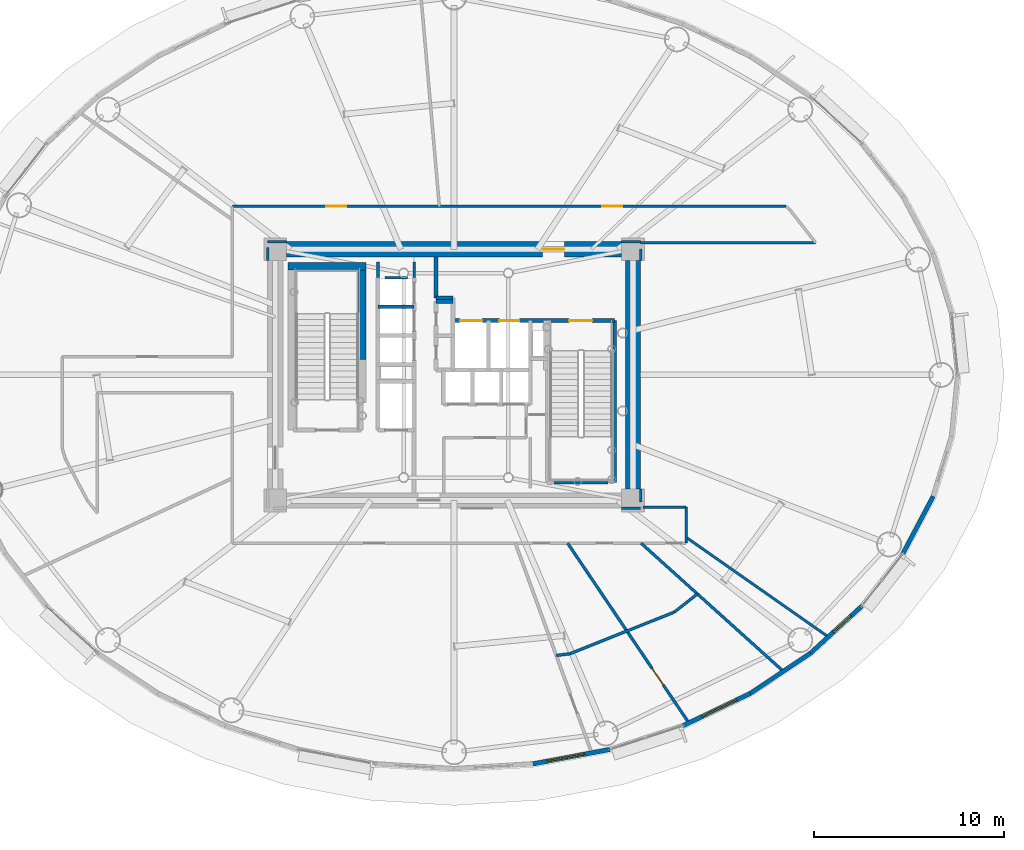
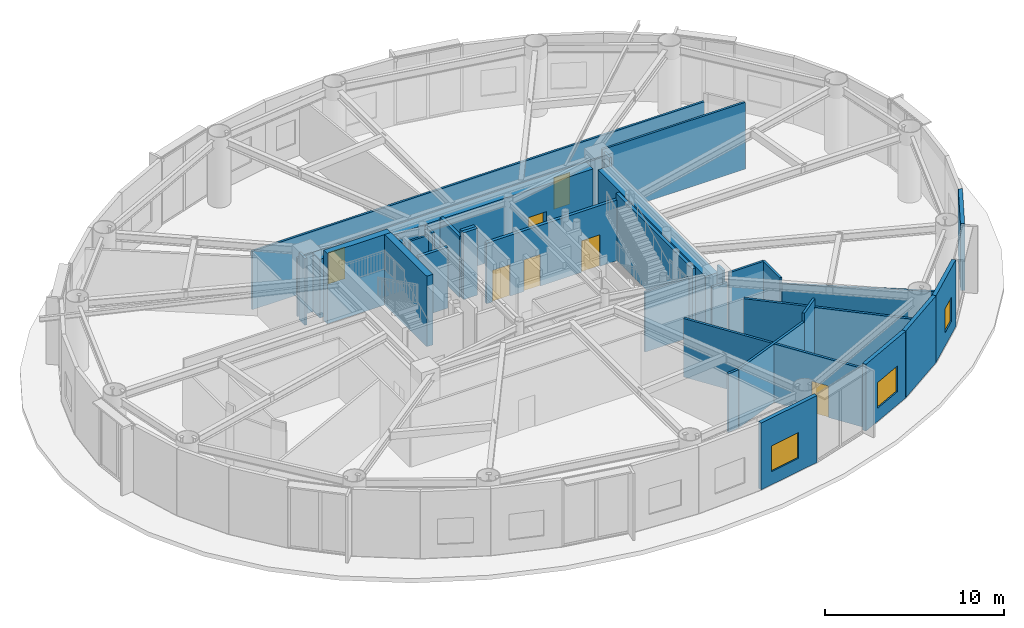
# One storey, part 29 of 38: 35 walls, 7 doors, 3 windows, 10 openings.
"""IFC4 building model written with IfcOpenShell, lengths in metres."""

from ifc_helpers import new_model, si_unit, direction, frame, frame_2d, origin, origin_2d, place, context, subcontext, project, spatial, rectangle, extrude, source, transform, mapped, material, layer, layer_set, type_object, element, fill, save


model = new_model("IFC4")

# Units and contexts
model_context = context("Model", 3, precision=1e-05, world=origin(), true_north=direction((0.0, 1.0)))
body_context = subcontext(model_context, "Body", "Model", "MODEL_VIEW")
ifc_project = project(units=[si_unit("LENGTHUNIT", "METRE"), si_unit("AREAUNIT", "SQUARE_METRE"), si_unit("VOLUMEUNIT", "CUBIC_METRE"), si_unit("PLANEANGLEUNIT", "RADIAN"), si_unit("MASSUNIT", "GRAM", prefix="KILO")], contexts=[model_context])

# Site, building, storey
site_placement = place(None, origin())
site = spatial("IfcSite", under=ifc_project, at=site_placement, CompositionType="ELEMENT")
building_placement = place(site_placement, origin())
building = spatial("IfcBuilding", under=site, at=building_placement, Name="Linh Dai School and Residence Tower", CompositionType="ELEMENT")
storey_placement = place(building_placement, frame((0.0, 0.0, 151.35009765625)))
storey = spatial("IfcBuildingStorey", under=building, at=storey_placement, Name="L36", CompositionType="ELEMENT", Elevation=151.35009765625)

# Wall, opening, window
ifc_material_1 = material(Name="Precast Concrete B45 (C35/45)", Category="concrete")
ifc_layer_1 = layer(ifc_material_1, 0.239990234375)
ifc_layer_set_1 = layer_set([ifc_layer_1], Name="Precast Concrete B45 (C35/45)")
wall_type_1 = type_object("IfcWallType", Name="EW-TC-240", PredefinedType="SOLIDWALL", material=ifc_layer_set_1)
wall_1_placement = place(storey_placement, frame((44.18896484375, 7.310546875, 0.0), z_axis=(0.0, 0.0, 1.0), x_axis=(-0.982788108205, -0.184736391573, 0.0)))
wall_1 = element("IfcWall", 1, at=wall_1_placement, inside=storey, type_object=wall_type_1, Name="L36 Terracotta Exterior Wall 32", PredefinedType="SOLIDWALL", context=body_context, shape_type="SweptSolid", body=[
    extrude(rectangle(XDim=4.114013671875, YDim=0.239990234375, at=frame_2d((2.05712890625, 0.0))), origin(), (0.0, 0.0, 1.0), 4.5498046875),
])
opening_1_placement = place(wall_1_placement, frame((1.3603515625, 0.0, 0.89990234375)))
opening_1 = element("IfcOpeningElement", 2, at=opening_1_placement, cuts=wall_1, Name="Opening W1", PredefinedType="OPENING", context=body_context, shape_type="SweptSolid", body=[
    extrude(rectangle(XDim=2.0, YDim=1.75, at=origin_2d()), frame((1.0, 0.1298828125, 0.875), z_axis=(0.0, -1.0, 0.0), x_axis=(1.0, 0.0, 0.0)), (0.0, 0.0, 1.0), 0.260009765625),
])
ifc_material_2 = material(Name="Double Low-E Insulated Glazing", Category="glass")
window_type_1 = type_object("IfcWindowType", Name="WN-RES-2000x1750", PartitioningType="DOUBLE_PANEL_VERTICAL", PredefinedType="WINDOW", material=ifc_material_2)
shared_shape_1 = source(origin(), body_context, "Body", "SweptSolid", [
    extrude(rectangle(XDim=2.0, YDim=1.75, at=origin_2d()), frame((1.0, 0.030029296875, 0.875), z_axis=(0.0, -1.0, 0.0), x_axis=(1.0, 0.0, 0.0)), (0.0, 0.0, 1.0), 0.06005859375),
])
window_1_placement = place(opening_1_placement, origin())
window_1 = element("IfcWindow", 3, at=window_1_placement, inside=storey, type_object=window_type_1, Name="L36 Exterior Window 32.1", OverallHeight=1.75, OverallWidth=2.0, PartitioningType="DOUBLE_PANEL_VERTICAL", PredefinedType="WINDOW", context=body_context, shape_type="MappedRepresentation", body=[
    mapped(shared_shape_1, transform((0.0, 0.0, 0.0), x_axis=(1.0, 0.0, 0.0), y_axis=(0.0, 1.0, 0.0), z_axis=(0.0, 0.0, 1.0), scale=1.0)),
])
fill(opening_1, window_1)

wall_2_placement = place(storey_placement, frame((51.5732421875, 10.2568359375, 0.0), z_axis=(0.0, 0.0, 1.0), x_axis=(-0.901564733809, -0.432644231155, 0.0)))
wall_2 = element("IfcWall", 4, at=wall_2_placement, inside=storey, type_object=wall_type_1, Name="L36 Terracotta Exterior Wall 34", PredefinedType="SOLIDWALL", context=body_context, shape_type="SweptSolid", body=[
    extrude(rectangle(XDim=3.930419921875, YDim=0.239990234375, at=frame_2d((1.96533203125, 0.0))), origin(), (0.0, 0.0, 1.0), 4.5498046875),
])
opening_2_placement = place(wall_2_placement, frame((0.806640625, 0.0, 0.89990234375)))
opening_2 = element("IfcOpeningElement", 5, at=opening_2_placement, cuts=wall_2, Name="Opening W1", PredefinedType="OPENING", context=body_context, shape_type="SweptSolid", body=[
    extrude(rectangle(XDim=2.0, YDim=1.75, at=origin_2d()), frame((1.0, 0.1298828125, 0.875), z_axis=(0.0, -1.0, 0.0), x_axis=(1.0, 0.0, 0.0)), (0.0, 0.0, 1.0), 0.260009765625),
])
window_2_placement = place(opening_2_placement, origin())
window_2 = element("IfcWindow", 6, at=window_2_placement, inside=storey, type_object=window_type_1, Name="L36 Exterior Window 34.1", OverallHeight=1.75, OverallWidth=2.0, PartitioningType="DOUBLE_PANEL_VERTICAL", PredefinedType="WINDOW", context=body_context, shape_type="MappedRepresentation", body=[
    mapped(shared_shape_1, transform((0.0, 0.0, 0.0), x_axis=(1.0, 0.0, 0.0), y_axis=(0.0, 1.0, 0.0), z_axis=(0.0, 0.0, 1.0), scale=1.0)),
])
fill(opening_2, window_2)

# Wall
wall_3_placement = place(storey_placement, frame((54.73193359375, 12.369384765625, 0.0), z_axis=(0.0, 0.0, 1.0), x_axis=(-0.831228998277, -0.555930168657, 0.0)))
element("IfcWall", 7, at=wall_3_placement, inside=storey, type_object=wall_type_1, Name="L36 Terracotta Exterior Wall 35", PredefinedType="SOLIDWALL", context=body_context, shape_type="SweptSolid", body=[
    extrude(rectangle(XDim=3.800048828125, YDim=0.239990234375, at=frame_2d((1.89990234375, 0.0))), origin(), (0.0, 0.0, 1.0), 4.5498046875),
])

# Wall, opening, window
wall_4_placement = place(storey_placement, frame((57.42822265625, 14.841552734375, 0.0), z_axis=(0.0, 0.0, 1.0), x_axis=(-0.737076565834, -0.675809245349, 0.0)))
wall_4 = element("IfcWall", 8, at=wall_4_placement, inside=storey, type_object=wall_type_1, Name="L36 Terracotta Exterior Wall 36", PredefinedType="SOLIDWALL", context=body_context, shape_type="SweptSolid", body=[
    extrude(rectangle(XDim=3.658203125, YDim=0.239990234375, at=frame_2d((1.8291015625, 0.0))), origin(), (0.0, 0.0, 1.0), 4.5498046875),
])
opening_3_placement = place(wall_4_placement, frame((0.777587890625, 0.0, 0.89990234375)))
opening_3 = element("IfcOpeningElement", 9, at=opening_3_placement, cuts=wall_4, Name="Opening W3", PredefinedType="OPENING", context=body_context, shape_type="SweptSolid", body=[
    extrude(rectangle(XDim=1.25, YDim=1.64990234375, at=origin_2d()), frame((0.625, 0.1298828125, 0.824951171875), z_axis=(0.0, -1.0, 0.0), x_axis=(1.0, 0.0, 0.0)), (0.0, 0.0, 1.0), 0.260009765625),
])
window_type_2 = type_object("IfcWindowType", Name="WN-RES-1250x1650", PartitioningType="SINGLE_PANEL", PredefinedType="WINDOW", material=ifc_material_2)
shared_shape_2 = source(origin(), body_context, "Body", "SweptSolid", [
    extrude(rectangle(XDim=1.25, YDim=1.64990234375, at=origin_2d()), frame((0.625, 0.030029296875, 0.824951171875), z_axis=(0.0, -1.0, 0.0), x_axis=(1.0, 0.0, 0.0)), (0.0, 0.0, 1.0), 0.06005859375),
])
window_3_placement = place(opening_3_placement, origin())
window_3 = element("IfcWindow", 10, at=window_3_placement, inside=storey, type_object=window_type_2, Name="L36 Exterior Window 36.1", OverallHeight=1.64990234375, OverallWidth=1.25, PartitioningType="SINGLE_PANEL", PredefinedType="WINDOW", context=body_context, shape_type="MappedRepresentation", body=[
    mapped(shared_shape_2, transform((0.0, 0.0, 0.0), x_axis=(1.0, 0.0, 0.0), y_axis=(0.0, 1.0, 0.0), z_axis=(0.0, 0.0, 1.0), scale=1.0)),
])
fill(opening_3, window_3)

# Wall
wall_5_placement = place(storey_placement, frame((61.1826171875, 20.611083984375, 0.0), z_axis=(0.0, 0.0, 1.0), x_axis=(-0.467586874938, -0.88394712194, 0.0)))
element("IfcWall", 11, at=wall_5_placement, inside=storey, type_object=wall_type_1, Name="L36 Terracotta Exterior Wall 38", PredefinedType="SOLIDWALL", context=body_context, shape_type="SweptSolid", body=[
    extrude(rectangle(XDim=3.393310546875, YDim=0.239990234375, at=frame_2d((1.69677734375, 0.0))), origin(), (0.0, 0.0, 1.0), 4.5498046875),
])

# Wall, openings, doors
ifc_material_3 = material(Name="Autoclaved Aerated Concrete Blockwork", Category="masonry")
ifc_layer_2 = layer(ifc_material_3, 0.135009765625)
ifc_layer_set_2 = layer_set([ifc_layer_2], Name="Autoclaved Aerated Concrete Blockwork")
wall_type_2 = type_object("IfcWallType", Name="IW-CORR-135-EI90", PredefinedType="PARTITIONING", material=ifc_layer_set_2)
wall_6_placement = place(storey_placement, frame((24.35009765625, 35.85009765625, 0.0), z_axis=(0.0, 0.0, 1.0), x_axis=(1.0, 0.0, 0.0)))
wall_6 = element("IfcWall", 12, at=wall_6_placement, inside=storey, type_object=wall_type_2, Name="L36 Interior Partition Wall 013", PredefinedType="PARTITIONING", context=body_context, shape_type="SweptSolid", body=[
    extrude(rectangle(XDim=29.103759765625, YDim=0.135009765625, at=frame_2d((14.5517578125, 0.0))), origin(), (0.0, 0.0, 1.0), 3.98486328125),
])
opening_4_placement = place(wall_6_placement, frame((19.44482421875, 0.0, 0.0)))
opening_4 = element("IfcOpeningElement", 13, at=opening_4_placement, cuts=wall_6, Name="Opening D04", PredefinedType="OPENING", context=body_context, shape_type="SweptSolid", body=[
    extrude(rectangle(XDim=1.050048828125, YDim=2.14990234375, at=origin_2d()), frame((0.52490234375, 0.07763671875, 1.074951171875), z_axis=(0.0, -1.0, 0.0), x_axis=(1.0, 0.0, 0.0)), (0.0, 0.0, 1.0), 0.155029296875),
])
opening_5_placement = place(wall_6_placement, frame((4.932861328125, 0.0, 0.0)))
opening_5 = element("IfcOpeningElement", 14, at=opening_5_placement, cuts=wall_6, Name="Opening D04", PredefinedType="OPENING", context=body_context, shape_type="SweptSolid", body=[
    extrude(rectangle(XDim=1.050048828125, YDim=2.14990234375, at=origin_2d()), frame((0.52490234375, 0.07763671875, 1.074951171875), z_axis=(0.0, -1.0, 0.0), x_axis=(1.0, 0.0, 0.0)), (0.0, 0.0, 1.0), 0.155029296875),
])
ifc_material_4 = material(Name="Acoustic Vision-Panel Timber Classroom Door", Category="wood")
door_type_1 = type_object("IfcDoorType", Name="DR-SCH-1050x2150-FD60S", OperationType="NOTDEFINED", PredefinedType="DOOR", material=ifc_material_4)
shared_shape_3 = source(origin(), body_context, "Body", "SweptSolid", [
    extrude(rectangle(XDim=1.050048828125, YDim=2.14990234375, at=origin_2d()), frame((0.52490234375, 0.02490234375, 1.074951171875), z_axis=(0.0, -1.0, 0.0), x_axis=(1.0, 0.0, 0.0)), (0.0, 0.0, 1.0), 0.050048828125),
])
door_1_placement = place(opening_4_placement, origin())
door_1 = element("IfcDoor", 15, at=door_1_placement, inside=storey, type_object=door_type_1, Name="L36 Mid-Zone Transfer Sky Lobby Concourse Door", OperationType="SINGLE_SWING_LEFT", OverallHeight=2.14990234375, OverallWidth=1.050048828125, PredefinedType="DOOR", context=body_context, shape_type="MappedRepresentation", body=[
    mapped(shared_shape_3, transform((0.0, 0.0, 0.0), x_axis=(1.0, 0.0, 0.0), y_axis=(0.0, 1.0, 0.0), z_axis=(0.0, 0.0, 1.0), scale=1.0)),
])
fill(opening_4, door_1)
door_2_placement = place(opening_5_placement, origin())
door_2 = element("IfcDoor", 16, at=door_2_placement, inside=storey, type_object=door_type_1, Name="L36 Mid-Zone Sky Concierge and Management Office Door", OperationType="SINGLE_SWING_RIGHT", OverallHeight=2.14990234375, OverallWidth=1.050048828125, PredefinedType="DOOR", context=body_context, shape_type="MappedRepresentation", body=[
    mapped(shared_shape_3, transform((0.0, 0.0, 0.0), x_axis=(1.0, 0.0, 0.0), y_axis=(0.0, 1.0, 0.0), z_axis=(0.0, 0.0, 1.0), scale=1.0)),
])
fill(opening_5, door_2)

# Walls
wall_7_placement = place(storey_placement, frame((45.800048828125, 33.949951171875, 0.0), z_axis=(0.0, 0.0, 1.0), x_axis=(1.0, 0.0, 0.0)))
element("IfcWall", 17, at=wall_7_placement, inside=storey, type_object=wall_type_2, Name="L36 Interior Partition Wall 050", PredefinedType="PARTITIONING", context=body_context, shape_type="SweptSolid", body=[
    extrude(rectangle(XDim=9.197021484375, YDim=0.135009765625, at=frame_2d((4.5986328125, 0.0))), origin(), (0.0, 0.0, 1.0), 4.5498046875),
])
wall_8_placement = place(storey_placement, frame((45.925537109375, 20.050048828125, 0.0), z_axis=(0.0, 0.0, 1.0), x_axis=(1.0, 0.0, 0.0)))
element("IfcWall", 18, at=wall_8_placement, inside=storey, type_object=wall_type_2, Name="L36 Interior Partition Wall 052", PredefinedType="PARTITIONING", context=body_context, shape_type="SweptSolid", body=[
    extrude(rectangle(XDim=2.2744140625, YDim=0.135009765625, at=frame_2d((1.13720703125, 0.0))), origin(), (0.0, 0.0, 1.0), 4.5498046875),
])
wall_9_placement = place(storey_placement, frame((48.199951171875, 18.14990234375, 0.0), z_axis=(0.0, 0.0, 1.0), x_axis=(0.0, 1.0, 0.0)))
element("IfcWall", 19, at=wall_9_placement, inside=storey, type_object=wall_type_2, Name="L36 Interior Partition Wall 054", PredefinedType="PARTITIONING", context=body_context, shape_type="SweptSolid", body=[
    extrude(rectangle(XDim=1.900146484375, YDim=0.135009765625, at=frame_2d((0.9501953125, 0.0))), origin(), (0.0, 0.0, 1.0), 4.5498046875),
])
wall_10_placement = place(storey_placement, frame((48.199951171875, 18.45751953125, 0.0), z_axis=(0.0, 0.0, 1.0), x_axis=(0.819151444864, -0.573577292418, 0.0)))
element("IfcWall", 20, at=wall_10_placement, inside=storey, type_object=wall_type_2, Name="L36 Interior Partition Wall 055", PredefinedType="PARTITIONING", context=body_context, shape_type="SweptSolid", body=[
    extrude(rectangle(XDim=9.122314453125, YDim=0.135009765625, at=frame_2d((4.56103515625, 0.0))), origin(), (0.0, 0.0, 1.0), 3.98486328125),
])
wall_11_placement = place(storey_placement, frame((44.080078125, 21.330078125, 0.0), z_axis=(0.0, 0.0, 1.0), x_axis=(-1.0, 0.0, 0.0)))
element("IfcWall", 21, at=wall_11_placement, inside=storey, type_object=wall_type_2, Name="L36 Interior Partition Wall 058", PredefinedType="PARTITIONING", context=body_context, shape_type="SweptSolid", body=[
    extrude(rectangle(XDim=2.820068359375, YDim=0.135009765625, at=frame_2d((1.41015625, 0.0))), origin(), (0.0, 0.0, 1.0), 4.0849609375),
])
wall_12_placement = place(storey_placement, frame((32.360107421875, 32.10009765625, 0.0), z_axis=(0.0, 0.0, 1.0), x_axis=(1.0, 0.0, 0.0)))
element("IfcWall", 22, at=wall_12_placement, inside=storey, type_object=wall_type_2, Name="L36 Interior Partition Wall 059", PredefinedType="PARTITIONING", context=body_context, shape_type="SweptSolid", body=[
    extrude(rectangle(XDim=1.179931640625, YDim=0.135009765625, at=frame_2d((0.58984375, 0.0))), origin(), (0.0, 0.0, 1.0), 4.135009765625),
])
wall_13_placement = place(storey_placement, frame((32.0, 32.93994140625, 0.0), z_axis=(0.0, 0.0, 1.0), x_axis=(0.0, -1.0, 0.0)))
element("IfcWall", 23, at=wall_13_placement, inside=storey, type_object=wall_type_2, Name="L36 Interior Partition Wall 061", PredefinedType="PARTITIONING", context=body_context, shape_type="SweptSolid", body=[
    extrude(rectangle(XDim=0.829833984375, YDim=0.135009765625, at=frame_2d((0.4150390625, 0.0))), origin(), (0.0, 0.0, 1.0), 4.0849609375),
])
wall_14_placement = place(storey_placement, frame((33.89990234375, 32.110107421875, 0.0), z_axis=(0.0, 0.0, 1.0), x_axis=(0.0, 1.0, 0.0)))
element("IfcWall", 24, at=wall_14_placement, inside=storey, type_object=wall_type_2, Name="L36 Interior Partition Wall 062", PredefinedType="PARTITIONING", context=body_context, shape_type="SweptSolid", body=[
    extrude(rectangle(XDim=0.829833984375, YDim=0.135009765625, at=frame_2d((0.4150390625, 0.0))), origin(), (0.0, 0.0, 1.0), 4.135009765625),
])
wall_15_placement = place(storey_placement, frame((45.7900390625, 34.0, 0.0), z_axis=(0.0, 0.0, 1.0), x_axis=(-1.0, 0.0, 0.0)))
element("IfcWall", 25, at=wall_15_placement, inside=storey, type_object=wall_type_2, Name="L36 Interior Partition Wall 063", PredefinedType="PARTITIONING", context=body_context, shape_type="SweptSolid", body=[
    extrude(rectangle(XDim=0.97998046875, YDim=0.135009765625, at=frame_2d((0.489990234375, 0.0))), origin(), (0.0, 0.0, 1.0), 3.98486328125),
])
wall_16_placement = place(storey_placement, frame((27.18994140625, 34.0, 0.0), z_axis=(0.0, 0.0, 1.0), x_axis=(-1.0, 0.0, 0.0)))
element("IfcWall", 26, at=wall_16_placement, inside=storey, type_object=wall_type_2, Name="L36 Interior Partition Wall 064", PredefinedType="PARTITIONING", context=body_context, shape_type="SweptSolid", body=[
    extrude(rectangle(XDim=0.989990234375, YDim=0.135009765625, at=frame_2d((0.4951171875, 0.0))), origin(), (0.0, 0.0, 1.0), 3.98486328125),
])
wall_17_placement = place(storey_placement, frame((26.199951171875, 33.6923828125, 0.0), z_axis=(0.0, 0.0, 1.0), x_axis=(0.0, -1.0, 0.0)))
element("IfcWall", 27, at=wall_17_placement, inside=storey, type_object=wall_type_2, Name="L36 Interior Partition Wall 065", PredefinedType="PARTITIONING", context=body_context, shape_type="SweptSolid", body=[
    extrude(rectangle(XDim=0.682373046875, YDim=0.135009765625, at=frame_2d((0.34130859375, 0.0))), origin(), (0.0, 0.0, 1.0), 4.5498046875),
])
wall_18_placement = place(storey_placement, frame((44.81005859375, 20.0, 0.0), z_axis=(0.0, 0.0, 1.0), x_axis=(1.0, 0.0, 0.0)))
element("IfcWall", 28, at=wall_18_placement, inside=storey, type_object=wall_type_2, Name="L36 Interior Partition Wall 068", PredefinedType="PARTITIONING", context=body_context, shape_type="SweptSolid", body=[
    extrude(rectangle(XDim=0.989990234375, YDim=0.135009765625, at=frame_2d((0.4951171875, 0.0))), origin(), (0.0, 0.0, 1.0), 3.98486328125),
])
wall_19_placement = place(storey_placement, frame((45.800048828125, 20.3076171875, 0.0), z_axis=(0.0, 0.0, 1.0), x_axis=(0.0, 1.0, 0.0)))
element("IfcWall", 29, at=wall_19_placement, inside=storey, type_object=wall_type_2, Name="L36 Interior Partition Wall 069", PredefinedType="PARTITIONING", context=body_context, shape_type="SweptSolid", body=[
    extrude(rectangle(XDim=0.682373046875, YDim=0.135009765625, at=frame_2d((0.34130859375, 0.0))), origin(), (0.0, 0.0, 1.0), 4.5498046875),
])
wall_20_placement = place(storey_placement, frame((45.800048828125, 33.010009765625, 0.0), z_axis=(0.0, 0.0, 1.0), x_axis=(0.0, 1.0, 0.0)))
element("IfcWall", 30, at=wall_20_placement, inside=storey, type_object=wall_type_2, Name="L36 Interior Partition Wall 070", PredefinedType="PARTITIONING", context=body_context, shape_type="SweptSolid", body=[
    extrude(rectangle(XDim=0.612548828125, YDim=0.135009765625, at=frame_2d((0.30615234375, 0.0))), origin(), (0.0, 0.0, 1.0), 4.5498046875),
])
ifc_layer_3 = layer(ifc_material_3, 0.14990234375)
ifc_layer_set_3 = layer_set([ifc_layer_3], Name="Autoclaved Aerated Concrete Blockwork")
wall_type_3 = type_object("IfcWallType", Name="IW-SCH-150-EI60", PredefinedType="PARTITIONING", material=ifc_layer_set_3)
wall_21_placement = place(storey_placement, frame((41.367919921875, 12.25146484375, 0.0), z_axis=(0.0, 0.0, 1.0), x_axis=(0.992361079, 0.123367292608, 0.0)))
element("IfcWall", 31, at=wall_21_placement, inside=storey, type_object=wall_type_3, Name="L36 Interior Partition Wall 046", PredefinedType="PARTITIONING", context=body_context, shape_type="SweptSolid", body=[
    extrude(rectangle(XDim=0.720458984375, YDim=0.14990234375, at=frame_2d((0.3603515625, 0.0))), origin(), (0.0, 0.0, 1.0), 3.98486328125),
])

# Wall, opening, door
wall_22_placement = place(storey_placement, frame((41.969482421875, 18.14990234375, 0.0), z_axis=(0.0, 0.0, 1.0), x_axis=(0.559195426667, -0.829035870632, 0.0)))
wall_22 = element("IfcWall", 32, at=wall_22_placement, inside=storey, type_object=wall_type_3, Name="L36 Interior Partition Wall 047", PredefinedType="PARTITIONING", context=body_context, shape_type="SweptSolid", body=[
    extrude(rectangle(XDim=11.397216796875, YDim=0.14990234375, at=frame_2d((5.69873046875, 0.0))), origin(), (0.0, 0.0, 1.0), 3.98486328125),
])
opening_6_placement = place(wall_22_placement, frame((7.93603515625, 0.0, 0.0)))
opening_6 = element("IfcOpeningElement", 33, at=opening_6_placement, cuts=wall_22, Name="Opening D04", PredefinedType="OPENING", context=body_context, shape_type="SweptSolid", body=[
    extrude(rectangle(XDim=1.050048828125, YDim=2.14990234375, at=origin_2d()), frame((0.52490234375, 0.0849609375, 1.074951171875), z_axis=(0.0, -1.0, 0.0), x_axis=(1.0, 0.0, 0.0)), (0.0, 0.0, 1.0), 0.169921875),
])
door_3_placement = place(opening_6_placement, origin())
door_3 = element("IfcDoor", 34, at=door_3_placement, inside=storey, type_object=door_type_1, Name="L36 Mid-Zone Sky Sitting Alcove FWC Door", OperationType="SINGLE_SWING_RIGHT", OverallHeight=2.14990234375, OverallWidth=1.050048828125, PredefinedType="DOOR", context=body_context, shape_type="MappedRepresentation", body=[
    mapped(shared_shape_3, transform((0.0, 0.0, 0.0), x_axis=(1.0, 0.0, 0.0), y_axis=(0.0, 1.0, 0.0), z_axis=(0.0, 0.0, 1.0), scale=1.0)),
])
fill(opening_6, door_3)

# Walls
wall_23_placement = place(storey_placement, frame((42.082763671875, 12.34033203125, 0.0), z_axis=(0.0, 0.0, 1.0), x_axis=(0.928809762736, 0.370556911481, 0.0)))
element("IfcWall", 35, at=wall_23_placement, inside=storey, type_object=wall_type_3, Name="L36 Interior Partition Wall 048", PredefinedType="PARTITIONING", context=body_context, shape_type="SweptSolid", body=[
    extrude(rectangle(XDim=5.907958984375, YDim=0.14990234375, at=frame_2d((2.9541015625, 0.0))), origin(), (0.0, 0.0, 1.0), 3.98486328125),
])
wall_24_placement = place(storey_placement, frame((45.828857421875, 18.14990234375, 0.0), z_axis=(0.0, 0.0, 1.0), x_axis=(0.743153057956, -0.669121463152, 0.0)))
element("IfcWall", 36, at=wall_24_placement, inside=storey, type_object=wall_type_3, Name="L36 Interior Partition Wall 051", PredefinedType="PARTITIONING", context=body_context, shape_type="SweptSolid", body=[
    extrude(rectangle(XDim=10.068115234375, YDim=0.14990234375, at=frame_2d((5.0341796875, 0.0))), origin(), (0.0, 0.0, 1.0), 3.98486328125),
])
wall_25_placement = place(storey_placement, frame((47.570068359375, 14.529541015625, 0.0), z_axis=(0.0, 0.0, 1.0), x_axis=(0.787302028372, 0.616567527625, 0.0)))
element("IfcWall", 37, at=wall_25_placement, inside=storey, type_object=wall_type_3, Name="L36 Interior Partition Wall 053", PredefinedType="PARTITIONING", context=body_context, shape_type="SweptSolid", body=[
    extrude(rectangle(XDim=1.548583984375, YDim=0.14990234375, at=frame_2d((0.7744140625, 0.0))), origin(), (0.0, 0.0, 1.0), 4.5498046875),
])
ifc_material_5 = material(Name="Concrete B45 (C35/45)", Category="concrete")
ifc_layer_4 = layer(ifc_material_5, 0.199951171875)
ifc_layer_set_4 = layer_set([ifc_layer_4], Name="Concrete B45 (C35/45)")
wall_type_4 = type_object("IfcWallType", Name="IW-SHAFT-200-EI120", PredefinedType="PARTITIONING", material=ifc_layer_set_4)
wall_26_placement = place(storey_placement, frame((32.0, 30.580078125, 0.0), z_axis=(0.0, 0.0, 1.0), x_axis=(1.0, 0.0, 0.0)))
element("IfcWall", 38, at=wall_26_placement, inside=storey, type_object=wall_type_4, Name="L36 Interior Partition Wall 021", PredefinedType="PARTITIONING", context=body_context, shape_type="SweptSolid", body=[
    extrude(rectangle(XDim=1.89990234375, YDim=0.199951171875, at=frame_2d((0.949951171875, 0.0))), origin(), (0.0, 0.0, 1.0), 4.135009765625),
])
wall_27_placement = place(storey_placement, frame((35.050048828125, 30.85009765625, 0.0), z_axis=(0.0, 0.0, 1.0), x_axis=(1.0, 0.0, 0.0)))
element("IfcWall", 39, at=wall_27_placement, inside=storey, type_object=wall_type_4, Name="L36 Interior Partition Wall 027", PredefinedType="PARTITIONING", context=body_context, shape_type="SweptSolid", body=[
    extrude(rectangle(XDim=0.89990234375, YDim=0.199951171875, at=frame_2d((0.449951171875, 0.0))), origin(), (0.0, 0.0, 1.0), 4.5498046875),
])
wall_28_placement = place(storey_placement, frame((35.050048828125, 31.050048828125, 0.0), z_axis=(0.0, 0.0, 1.0), x_axis=(0.0, 1.0, 0.0)))
element("IfcWall", 40, at=wall_28_placement, inside=storey, type_object=wall_type_4, Name="L36 Interior Partition Wall 028", PredefinedType="PARTITIONING", context=body_context, shape_type="SweptSolid", body=[
    extrude(rectangle(XDim=2.14990234375, YDim=0.199951171875, at=frame_2d((1.074951171875, 0.0))), origin(), (0.0, 0.0, 1.0), 4.135009765625),
])
wall_29_placement = place(storey_placement, frame((35.050048828125, 31.050048828125, 0.0), z_axis=(0.0, 0.0, 1.0), x_axis=(1.0, 0.0, 0.0)))
element("IfcWall", 41, at=wall_29_placement, inside=storey, type_object=wall_type_4, Name="L36 Interior Partition Wall 029", PredefinedType="PARTITIONING", context=body_context, shape_type="SweptSolid", body=[
    extrude(rectangle(XDim=0.89990234375, YDim=0.199951171875, at=frame_2d((0.449951171875, 0.0))), origin(), (0.0, 0.0, 1.0), 4.5498046875),
])

# Wall, openings, doors
wall_30_placement = place(storey_placement, frame((35.949951171875, 29.85009765625, 0.0), z_axis=(0.0, 0.0, 1.0), x_axis=(1.0, 0.0, 0.0)))
wall_30 = element("IfcWall", 42, at=wall_30_placement, inside=storey, type_object=wall_type_4, Name="L36 Interior Partition Wall 035", PredefinedType="PARTITIONING", context=body_context, shape_type="SweptSolid", body=[
    extrude(rectangle(XDim=8.489990234375, YDim=0.199951171875, at=frame_2d((4.2451171875, 0.0))), origin(), (0.0, 0.0, 1.0), 4.135009765625),
])
opening_7_placement = place(wall_30_placement, frame((6.10009765625, 0.0, 0.0)))
opening_7 = element("IfcOpeningElement", 43, at=opening_7_placement, cuts=wall_30, Name="Opening D01", PredefinedType="OPENING", context=body_context, shape_type="SweptSolid", body=[
    extrude(rectangle(XDim=1.199951171875, YDim=2.14990234375, at=origin_2d()), frame((0.60009765625, 0.10986328125, 1.074951171875), z_axis=(0.0, -1.0, 0.0), x_axis=(1.0, 0.0, 0.0)), (0.0, 0.0, 1.0), 0.219970703125),
])
opening_8_placement = place(wall_30_placement, frame((0.3701171875, 0.0, 0.0)))
opening_8 = element("IfcOpeningElement", 44, at=opening_8_placement, cuts=wall_30, Name="Opening LD-FF1", PredefinedType="OPENING", context=body_context, shape_type="SweptSolid", body=[
    extrude(rectangle(XDim=1.14990234375, YDim=2.14990234375, at=origin_2d()), frame((0.574951171875, 0.10986328125, 1.074951171875), z_axis=(0.0, -1.0, 0.0), x_axis=(1.0, 0.0, 0.0)), (0.0, 0.0, 1.0), 0.219970703125),
])
opening_9_placement = place(wall_30_placement, frame((2.425048828125, 0.0, 0.0)))
opening_9 = element("IfcOpeningElement", 45, at=opening_9_placement, cuts=wall_30, Name="Opening LD-SV1", PredefinedType="OPENING", context=body_context, shape_type="SweptSolid", body=[
    extrude(rectangle(XDim=1.050048828125, YDim=2.14990234375, at=origin_2d()), frame((0.52490234375, 0.10986328125, 1.074951171875), z_axis=(0.0, -1.0, 0.0), x_axis=(1.0, 0.0, 0.0)), (0.0, 0.0, 1.0), 0.219970703125),
])
ifc_material_6 = material(Name="Fire-Rated Steel Door Leaf", Category="steel")
door_type_2 = type_object("IfcDoorType", Name="DR-STAIR-1200x2150-FD90S", OperationType="NOTDEFINED", PredefinedType="DOOR", material=ifc_material_6)
shared_shape_4 = source(origin(), body_context, "Body", "SweptSolid", [
    extrude(rectangle(XDim=1.199951171875, YDim=2.14990234375, at=origin_2d()), frame((0.60009765625, 0.02490234375, 1.074951171875), z_axis=(0.0, -1.0, 0.0), x_axis=(1.0, 0.0, 0.0)), (0.0, 0.0, 1.0), 0.050048828125),
])
door_4_placement = place(opening_7_placement, origin())
door_4 = element("IfcDoor", 46, at=door_4_placement, inside=storey, type_object=door_type_2, Name="L36 Core Smokeproof Exit Stair ST2 Door", OperationType="SINGLE_SWING_LEFT", OverallHeight=2.14990234375, OverallWidth=1.199951171875, PredefinedType="DOOR", context=body_context, shape_type="MappedRepresentation", body=[
    mapped(shared_shape_4, transform((0.0, 0.0, 0.0), x_axis=(1.0, 0.0, 0.0), y_axis=(0.0, 1.0, 0.0), z_axis=(0.0, 0.0, 1.0), scale=1.0)),
])
fill(opening_7, door_4)
ifc_material_7 = material(Name="Fire-Rated Stainless Steel Firefighting Lift Door", Category="steel")
door_type_3 = type_object("IfcDoorType", Name="DR-LD-FF-1150x2150-FD120", OperationType="DOUBLE_DOOR_SLIDING", PredefinedType="USERDEFINED", material=ifc_material_7)
shared_shape_5 = source(origin(), body_context, "Body", "SweptSolid", [
    extrude(rectangle(XDim=1.14990234375, YDim=2.14990234375, at=origin_2d()), frame((0.574951171875, 0.02490234375, 1.074951171875), z_axis=(0.0, -1.0, 0.0), x_axis=(1.0, 0.0, 0.0)), (0.0, 0.0, 1.0), 0.050048828125),
])
door_5_placement = place(opening_8_placement, origin())
door_5 = element("IfcDoor", 47, at=door_5_placement, inside=storey, type_object=door_type_3, Name="L36 Lift FF1 Sliding Landing Door", ObjectType="LANDING DOOR", OperationType="DOUBLE_DOOR_SLIDING", OverallHeight=2.14990234375, OverallWidth=1.14990234375, PredefinedType="USERDEFINED", context=body_context, shape_type="MappedRepresentation", body=[
    mapped(shared_shape_5, transform((0.0, 0.0, 0.0), x_axis=(1.0, 0.0, 0.0), y_axis=(0.0, 1.0, 0.0), z_axis=(0.0, 0.0, 1.0), scale=1.0)),
])
fill(opening_8, door_5)
ifc_material_8 = material(Name="Brushed Stainless Steel Lift Landing Door", Category="steel")
door_type_4 = type_object("IfcDoorType", Name="DR-LD-PASS-1050x2150", OperationType="DOUBLE_DOOR_SLIDING", PredefinedType="USERDEFINED", material=ifc_material_8)
shared_shape_6 = source(origin(), body_context, "Body", "SweptSolid", [
    extrude(rectangle(XDim=1.050048828125, YDim=2.14990234375, at=origin_2d()), frame((0.52490234375, 0.02490234375, 1.074951171875), z_axis=(0.0, -1.0, 0.0), x_axis=(1.0, 0.0, 0.0)), (0.0, 0.0, 1.0), 0.050048828125),
])
door_6_placement = place(opening_9_placement, origin())
door_6 = element("IfcDoor", 48, at=door_6_placement, inside=storey, type_object=door_type_4, Name="L36 Lift SV1 Sliding Landing Door", ObjectType="LANDING DOOR", OperationType="DOUBLE_DOOR_SLIDING", OverallHeight=2.14990234375, OverallWidth=1.050048828125, PredefinedType="USERDEFINED", context=body_context, shape_type="MappedRepresentation", body=[
    mapped(shared_shape_6, transform((0.0, 0.0, 0.0), x_axis=(1.0, 0.0, 0.0), y_axis=(0.0, 1.0, 0.0), z_axis=(0.0, 0.0, 1.0), scale=1.0)),
])
fill(opening_9, door_6)

# Walls
wall_31_placement = place(storey_placement, frame((44.43994140625, 21.330078125, 0.0), z_axis=(0.0, 0.0, 1.0), x_axis=(0.0, 1.0, 0.0)))
element("IfcWall", 49, at=wall_31_placement, inside=storey, type_object=wall_type_4, Name="L36 Interior Partition Wall 049", PredefinedType="PARTITIONING", context=body_context, shape_type="SweptSolid", body=[
    extrude(rectangle(XDim=8.52001953125, YDim=0.199951171875, at=frame_2d((4.260009765625, 0.0))), origin(), (0.0, 0.0, 1.0), 4.5498046875),
])
ifc_layer_5 = layer(ifc_material_5, 0.39990234375)
ifc_layer_set_5 = layer_set([ifc_layer_5], Name="Concrete B45 (C35/45)")
wall_type_5 = type_object("IfcWallType", Name="WL-CORE400", PredefinedType="SHEAR", material=ifc_layer_set_5)
wall_32_placement = place(storey_placement, frame((31.179931640625, 27.800048828125, 0.0), z_axis=(0.0, 0.0, 1.0), x_axis=(0.0, 1.0, 0.0)))
element("IfcWall", 50, at=wall_32_placement, inside=storey, type_object=wall_type_5, Name="L36 Core Stair ST1 Bearing Wall E", PredefinedType="SHEAR", context=body_context, shape_type="SweptSolid", body=[
    extrude(rectangle(XDim=4.89990234375, YDim=0.39990234375, at=frame_2d((2.449951171875, 0.0))), origin(), (0.0, 0.0, 1.0), 4.7998046875),
])
wall_33_placement = place(storey_placement, frame((27.280029296875, 32.699951171875, 0.0), z_axis=(0.0, 0.0, 1.0), x_axis=(1.0, 0.0, 0.0)))
element("IfcWall", 51, at=wall_33_placement, inside=storey, type_object=wall_type_5, Name="L36 Core Stair ST1 Bearing Wall N", PredefinedType="SHEAR", context=body_context, shape_type="SweptSolid", body=[
    extrude(rectangle(XDim=4.099853515625, YDim=0.39990234375, at=frame_2d((2.0498046875, 0.0))), origin(), (0.0, 0.0, 1.0), 4.7998046875),
])

# Wall, opening, door
ifc_material_9 = material(Name="Concrete B60 (C50/60)", Category="concrete")
ifc_layer_6 = layer(ifc_material_9, 0.800048828125)
ifc_layer_set_6 = layer_set([ifc_layer_6], Name="Concrete B60 (C50/60)")
wall_type_6 = type_object("IfcWallType", Name="WL-CORE800", PredefinedType="SHEAR", material=ifc_layer_set_6)
wall_34_placement = place(storey_placement, frame((27.199951171875, 33.60009765625, 0.0), z_axis=(0.0, 0.0, 1.0), x_axis=(1.0, 0.0, 0.0)))
wall_34 = element("IfcWall", 52, at=wall_34_placement, inside=storey, type_object=wall_type_6, Name="L36 Central Core Shear Wall N", PredefinedType="SHEAR", context=body_context, shape_type="SweptSolid", body=[
    extrude(rectangle(XDim=17.60009765625, YDim=0.800048828125, at=frame_2d((8.800048828125, 0.0))), origin(), (0.0, 0.0, 1.0), 4.0),
])
opening_10_placement = place(wall_34_placement, frame((13.449951171875, 0.0, 0.0)))
opening_10 = element("IfcOpeningElement", 53, at=opening_10_placement, cuts=wall_34, Name="Opening D02", PredefinedType="OPENING", context=body_context, shape_type="SweptSolid", body=[
    extrude(rectangle(XDim=1.14990234375, YDim=2.14990234375, at=origin_2d()), frame((0.574951171875, 0.41015625, 1.074951171875), z_axis=(0.0, -1.0, 0.0), x_axis=(1.0, 0.0, 0.0)), (0.0, 0.0, 1.0), 0.820068359375),
])
ifc_material_10 = material(Name="Fire-Rated Glazed Steel Lobby Door", Category="steel")
door_type_5 = type_object("IfcDoorType", Name="DR-LOBBY-1150x2150-FD90S", OperationType="NOTDEFINED", PredefinedType="DOOR", material=ifc_material_10)
shared_shape_7 = source(origin(), body_context, "Body", "SweptSolid", [
    extrude(rectangle(XDim=1.14990234375, YDim=2.14990234375, at=origin_2d()), frame((0.574951171875, 0.02490234375, 1.074951171875), z_axis=(0.0, -1.0, 0.0), x_axis=(1.0, 0.0, 0.0)), (0.0, 0.0, 1.0), 0.050048828125),
])
door_7_placement = place(opening_10_placement, origin())
door_7 = element("IfcDoor", 54, at=door_7_placement, inside=storey, type_object=door_type_5, Name="L36 Firefighting Lobby Door", OperationType="SINGLE_SWING_RIGHT", OverallHeight=2.14990234375, OverallWidth=1.14990234375, PredefinedType="DOOR", context=body_context, shape_type="MappedRepresentation", body=[
    mapped(shared_shape_7, transform((0.0, 0.0, 0.0), x_axis=(1.0, 0.0, 0.0), y_axis=(0.0, 1.0, 0.0), z_axis=(0.0, 0.0, 1.0), scale=1.0)),
])
fill(opening_10, door_7)

# Wall
wall_35_placement = place(storey_placement, frame((45.39990234375, 33.0, 0.0), z_axis=(0.0, 0.0, 1.0), x_axis=(0.0, -1.0, 0.0)))
element("IfcWall", 55, at=wall_35_placement, inside=storey, type_object=wall_type_6, Name="L36 Central Core Shear Wall E", PredefinedType="SHEAR", context=body_context, shape_type="SweptSolid", body=[
    extrude(rectangle(XDim=12.0, YDim=0.800048828125, at=frame_2d((6.0, 0.0))), origin(), (0.0, 0.0, 1.0), 4.0),
])

save(model, "model.ifc")
